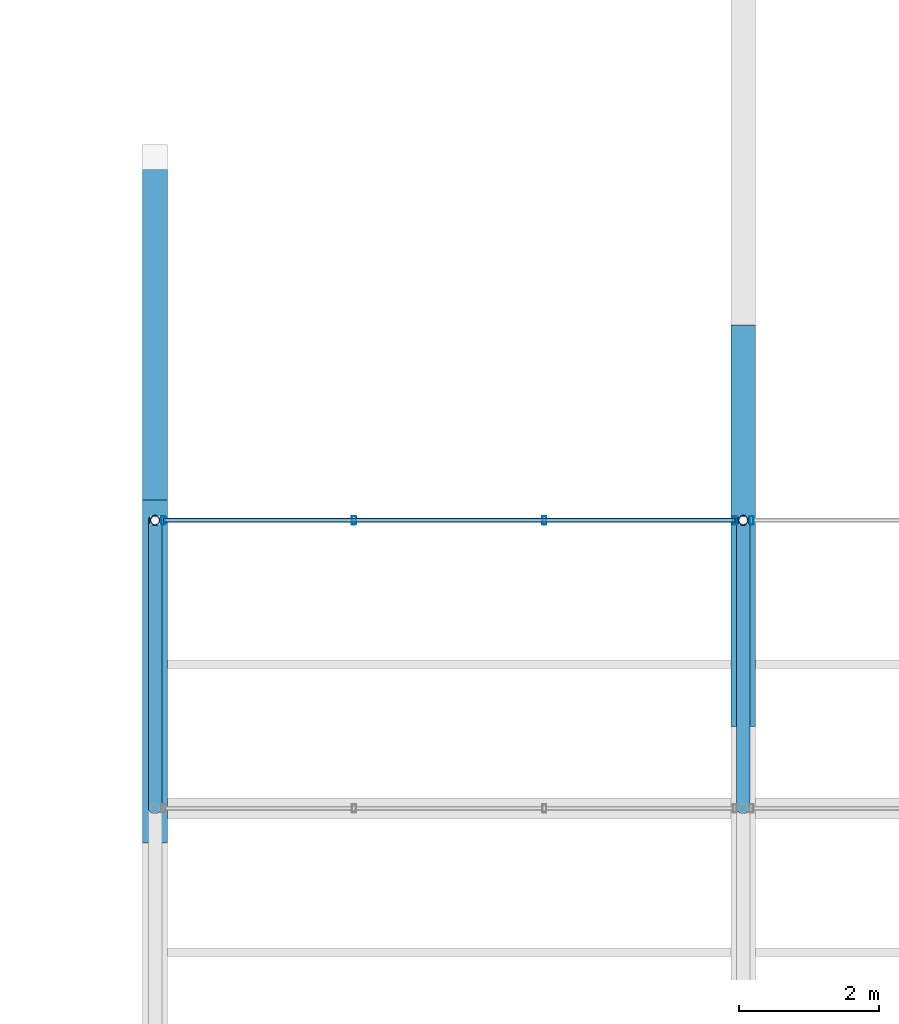
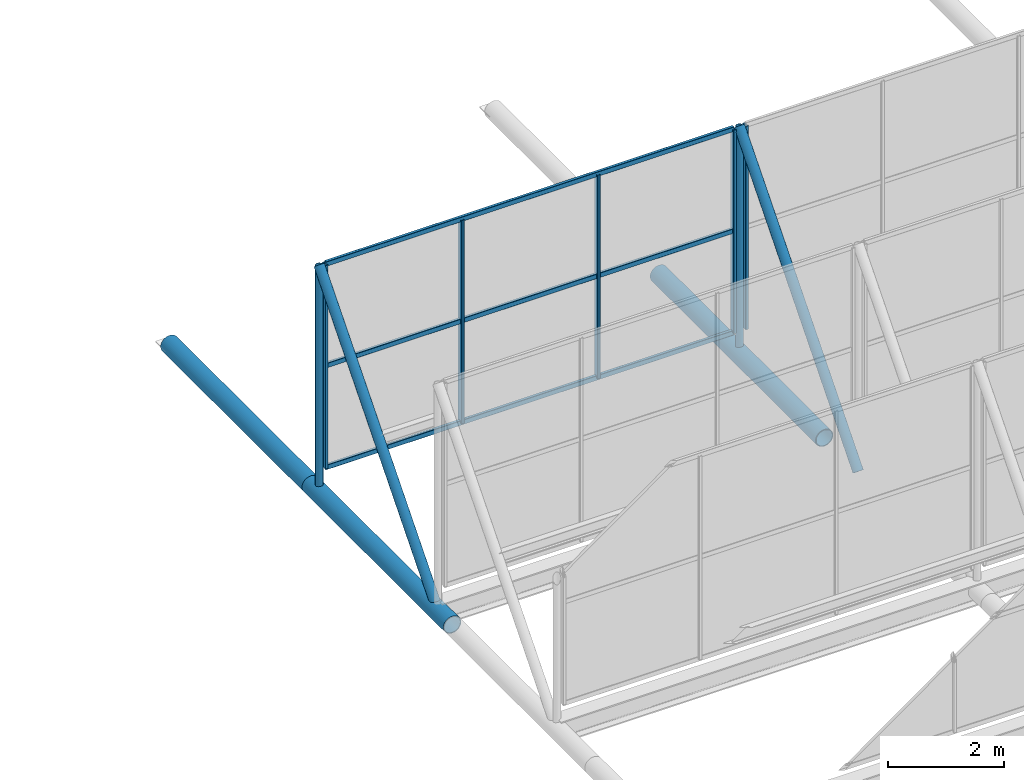
# One storey, part 36 of 77: 15 members, 2 elements without a shape of their own.
"""IFC4 building model written with IfcOpenShell, lengths in metres."""

from ifc_helpers import new_model, si_unit, derived_unit, direction, frame, origin, origin_2d, place, context, subcontext, project, spatial, hollow_rectangle, hollow_circle, extrude, material, material_profile, profile_set, type_object, element, aggregate, save


model = new_model("IFC4")

# Units and contexts
model_context = context("Model", 3, precision=1e-05, world=origin(), true_north=direction((0.0, 1.0)))
body_context = subcontext(model_context, "Body", "Model", "MODEL_VIEW")
ifc_project = project(units=[si_unit("LENGTHUNIT", "METRE"), si_unit("AREAUNIT", "SQUARE_METRE"), si_unit("VOLUMEUNIT", "CUBIC_METRE"), si_unit("PLANEANGLEUNIT", "RADIAN"), si_unit("MASSUNIT", "GRAM", prefix="KILO"), derived_unit("THERMALTRANSMITTANCEUNIT", [(si_unit("MASSUNIT", "GRAM", prefix="KILO"), 1), (si_unit("TIMEUNIT", "SECOND"), -3), (si_unit("THERMODYNAMICTEMPERATUREUNIT", "KELVIN"), -1)])], contexts=[model_context])

# Site, building, storey
site_placement = place(None, origin())
site = spatial("IfcSite", under=ifc_project, at=site_placement, CompositionType="ELEMENT")
building_placement = place(site_placement, origin())
building = spatial("IfcBuilding", under=site, at=building_placement, Name="Kharveza Railside Sports Centre", CompositionType="ELEMENT")
storey_placement = place(building_placement, frame((0.0, 0.0, 17.10009765625)))
storey = spatial("IfcBuildingStorey", under=building, at=storey_placement, Name="L04", CompositionType="ELEMENT", Elevation=17.10009765625)

# Curtain wall, members
ifc_material_1 = material(Name="Low-E solar-control laminated glass", Category="glass")
curtain_wall_type = type_object("IfcCurtainWallType", Name="CW-NL01", PredefinedType="NOTDEFINED", material=ifc_material_1)
curtain_wall_1_placement = place(storey_placement, origin())
curtain_wall_1 = element("IfcCurtainWall", 1, at=curtain_wall_1_placement, inside=storey, type_object=curtain_wall_type, Name="CW-V1NL-7-1", PredefinedType="NOTDEFINED")
ifc_material_2 = material(Name="Anodised aluminium 6063-T6", Category="aluminium")
ifc_material_profile_1 = material_profile(ifc_material_2, hollow_rectangle(XDim=0.06005859375, YDim=0.1201171875, WallThickness=0.0048828125, InnerFilletRadius=0.0048828125, OuterFilletRadius=0.010009765625, at=origin_2d()), Name="RHS 60x120x5.0")
ifc_profile_set_1 = profile_set([ifc_material_profile_1], Name="Anodised aluminium 6063-T6")
member_type_1 = type_object("IfcMemberType", Name="CW-ML05", PredefinedType="MULLION", material=ifc_profile_set_1)
member_1_placement = place(storey_placement, frame((33.719970703125, 64.800048828125, -0.550048828125), z_axis=(0.0, 0.0, 1.0), x_axis=(1.0, 0.0, 0.0)))
member_1 = element("IfcMember", 2, at=member_1_placement, type_object=member_type_1, Name="CW-V1NL-7-1-ML1", PredefinedType="MULLION", context=body_context, shape_type="SweptSolid", body=[
    extrude(hollow_rectangle(XDim=0.06005859375, YDim=0.1201171875, WallThickness=0.0048828125, InnerFilletRadius=0.0048828125, OuterFilletRadius=0.010009765625, at=origin_2d()), origin(), (0.0, 0.0, 1.0), 4.300048828125),
])
member_2_placement = place(storey_placement, frame((36.43994140625, 64.800048828125, -0.550048828125), z_axis=(0.0, 0.0, 1.0), x_axis=(1.0, 0.0, 0.0)))
member_2 = element("IfcMember", 3, at=member_2_placement, type_object=member_type_1, Name="CW-V1NL-7-1-ML2", PredefinedType="MULLION", context=body_context, shape_type="SweptSolid", body=[
    extrude(hollow_rectangle(XDim=0.06005859375, YDim=0.1201171875, WallThickness=0.0048828125, InnerFilletRadius=0.0048828125, OuterFilletRadius=0.010009765625, at=origin_2d()), origin(), (0.0, 0.0, 1.0), 4.300048828125),
])
member_3_placement = place(storey_placement, frame((39.159912109375, 64.800048828125, -0.550048828125), z_axis=(0.0, 0.0, 1.0), x_axis=(1.0, 0.0, 0.0)))
member_3 = element("IfcMember", 4, at=member_3_placement, type_object=member_type_1, Name="CW-V1NL-7-1-ML3", PredefinedType="MULLION", context=body_context, shape_type="SweptSolid", body=[
    extrude(hollow_rectangle(XDim=0.06005859375, YDim=0.1201171875, WallThickness=0.0048828125, InnerFilletRadius=0.0048828125, OuterFilletRadius=0.010009765625, at=origin_2d()), origin(), (0.0, 0.0, 1.0), 4.300048828125),
])
member_4_placement = place(storey_placement, frame((41.8798828125, 64.800048828125, -0.550048828125), z_axis=(0.0, 0.0, 1.0), x_axis=(1.0, 0.0, 0.0)))
member_4 = element("IfcMember", 5, at=member_4_placement, type_object=member_type_1, Name="CW-V1NL-7-1-ML4", PredefinedType="MULLION", context=body_context, shape_type="SweptSolid", body=[
    extrude(hollow_rectangle(XDim=0.06005859375, YDim=0.1201171875, WallThickness=0.0048828125, InnerFilletRadius=0.0048828125, OuterFilletRadius=0.010009765625, at=origin_2d()), origin(), (0.0, 0.0, 1.0), 4.300048828125),
])

# Curtain wall, member
curtain_wall_2_placement = place(storey_placement, origin())
curtain_wall_2 = element("IfcCurtainWall", 6, at=curtain_wall_2_placement, inside=storey, type_object=curtain_wall_type, Name="CW-V1NL-7-2", PredefinedType="NOTDEFINED")
member_5_placement = place(storey_placement, frame((42.1201171875, 64.800048828125, -0.550048828125), z_axis=(0.0, 0.0, 1.0), x_axis=(1.0, 0.0, 0.0)))
member_5 = element("IfcMember", 7, at=member_5_placement, type_object=member_type_1, Name="CW-V1NL-7-2-ML1", PredefinedType="MULLION", context=body_context, shape_type="SweptSolid", body=[
    extrude(hollow_rectangle(XDim=0.06005859375, YDim=0.1201171875, WallThickness=0.0048828125, InnerFilletRadius=0.0048828125, OuterFilletRadius=0.010009765625, at=origin_2d()), origin(), (0.0, 0.0, 1.0), 4.300048828125),
])
aggregate(curtain_wall_2, [member_5])

# Member
ifc_material_profile_2 = material_profile(ifc_material_2, hollow_rectangle(XDim=0.06005859375, YDim=0.10009765625, WallThickness=0.00390625, InnerFilletRadius=0.00390625, OuterFilletRadius=0.008056640625, at=origin_2d()), Name="RHS 60x100x4.0")
ifc_profile_set_2 = profile_set([ifc_material_profile_2], Name="Anodised aluminium 6063-T6")
member_type_2 = type_object("IfcMemberType", Name="CW-TR05", PredefinedType="USERDEFINED", material=ifc_profile_set_2)
member_6_placement = place(storey_placement, frame((33.719970703125, 64.800048828125, -0.550048828125), z_axis=(1.0, 0.0, 0.0), x_axis=(0.0, 1.0, 0.0)))
member_6 = element("IfcMember", 8, at=member_6_placement, type_object=member_type_2, Name="CW-V1NL-7-1-TR1", ObjectType="TRANSOM", PredefinedType="USERDEFINED", context=body_context, shape_type="SweptSolid", body=[
    extrude(hollow_rectangle(XDim=0.06005859375, YDim=0.10009765625, WallThickness=0.00390625, InnerFilletRadius=0.00390625, OuterFilletRadius=0.008056640625, at=origin_2d()), origin(), (0.0, 0.0, 1.0), 8.159912109375),
])

member_7_placement = place(storey_placement, frame((33.719970703125, 64.800048828125, 1.599853515625), z_axis=(1.0, 0.0, 0.0), x_axis=(0.0, 1.0, 0.0)))
member_7 = element("IfcMember", 9, at=member_7_placement, type_object=member_type_2, Name="CW-V1NL-7-1-TR2", ObjectType="TRANSOM", PredefinedType="USERDEFINED", context=body_context, shape_type="SweptSolid", body=[
    extrude(hollow_rectangle(XDim=0.06005859375, YDim=0.10009765625, WallThickness=0.00390625, InnerFilletRadius=0.00390625, OuterFilletRadius=0.008056640625, at=origin_2d()), origin(), (0.0, 0.0, 1.0), 8.159912109375),
])

member_8_placement = place(storey_placement, frame((33.719970703125, 64.800048828125, 3.75), z_axis=(1.0, 0.0, 0.0), x_axis=(0.0, 1.0, 0.0)))
member_8 = element("IfcMember", 10, at=member_8_placement, type_object=member_type_2, Name="CW-V1NL-7-1-TR3", ObjectType="TRANSOM", PredefinedType="USERDEFINED", context=body_context, shape_type="SweptSolid", body=[
    extrude(hollow_rectangle(XDim=0.06005859375, YDim=0.10009765625, WallThickness=0.00390625, InnerFilletRadius=0.00390625, OuterFilletRadius=0.008056640625, at=origin_2d()), origin(), (0.0, 0.0, 1.0), 8.159912109375),
])

aggregate(curtain_wall_1, [member_1, member_2, member_3, member_4, member_6, member_7, member_8])

# Members
ifc_material_3 = material(Name="Steel S355J2", Category="steel")
ifc_material_profile_3 = material_profile(ifc_material_3, hollow_circle(Radius=0.177734375, WallThickness=0.01611328125, at=origin_2d()), Name="CHS 355.6x16.0")
ifc_profile_set_3 = profile_set([ifc_material_profile_3], Name="Steel S355J2")
member_type_3 = type_object("IfcMemberType", Name="MB-CH01", PredefinedType="CHORD", material=ifc_profile_set_3)
member_9_placement = place(storey_placement, frame((33.60009765625, 60.193359375, -1.050048828125), z_axis=(0.0, 1.0, 0.0), x_axis=(-1.0, 0.0, 0.0)))
element("IfcMember", 11, at=member_9_placement, inside=storey, type_object=member_type_3, Name="MB-V1TR-TC-1-7", PredefinedType="CHORD", context=body_context, shape_type="SweptSolid", body=[
    extrude(hollow_circle(Radius=0.177734375, WallThickness=0.01611328125, at=origin_2d()), origin(), (0.0, 0.0, 1.0), 4.896484375),
])
member_10_placement = place(storey_placement, frame((33.60009765625, 65.08984375, -1.050048828125), z_axis=(0.0, 1.0, 0.0), x_axis=(-1.0, 0.0, 0.0)))
element("IfcMember", 12, at=member_10_placement, inside=storey, type_object=member_type_3, Name="MB-V1TR-TC-1-8", PredefinedType="CHORD", context=body_context, shape_type="SweptSolid", body=[
    extrude(hollow_circle(Radius=0.177734375, WallThickness=0.01611328125, at=origin_2d()), origin(), (0.0, 0.0, 1.0), 4.896728515625),
])
member_11_placement = place(storey_placement, frame((42.0, 61.857666015625, -1.050048828125), z_axis=(0.0, 1.0, 0.0), x_axis=(-1.0, 0.0, 0.0)))
element("IfcMember", 13, at=member_11_placement, inside=storey, type_object=member_type_3, Name="MB-V1TR-TC-2-7", PredefinedType="CHORD", context=body_context, shape_type="SweptSolid", body=[
    extrude(hollow_circle(Radius=0.177734375, WallThickness=0.01611328125, at=origin_2d()), origin(), (0.0, 0.0, 1.0), 5.728759765625),
])
ifc_material_profile_4 = material_profile(ifc_material_3, hollow_circle(Radius=0.096923828125, WallThickness=0.010009765625, at=origin_2d()), Name="CHS 193.7x10.0")
ifc_profile_set_4 = profile_set([ifc_material_profile_4], Name="Steel S355J2")
member_type_4 = type_object("IfcMemberType", Name="MB-ST02", PredefinedType="STRUT", material=ifc_profile_set_4)
for number, where, z_axis, x_axis, name in (
    (14, (33.60009765625, 60.685791015625, -1.050048828125), (0.0, 0.650003261435, 0.759931418039), (-1.0, 0.0, 0.0), "MB-V1SAW-RFT-7-1"),
    (15, (42.0, 60.685791015625, -1.050048828125), (0.0, 0.650003261435, 0.759931418039), (-1.0, 0.0, 0.0), "MB-V1SAW-RFT-7-2"),
):
    element("IfcMember", number, at=place(storey_placement, frame(where, z_axis=z_axis, x_axis=x_axis)), inside=storey, type_object=member_type_4, Name=name, PredefinedType="STRUT", context=body_context, shape_type="SweptSolid", body=[
        extrude(hollow_circle(Radius=0.096923828125, WallThickness=0.010009765625, at=origin_2d()), origin(), (0.0, 0.0, 1.0), 6.32958984375),
    ])
ifc_material_profile_5 = material_profile(ifc_material_3, hollow_circle(Radius=0.06982421875, WallThickness=0.008056640625, at=origin_2d()), Name="CHS 139.7x8.0")
ifc_profile_set_5 = profile_set([ifc_material_profile_5], Name="Steel S355J2")
member_type_5 = type_object("IfcMemberType", Name="MB-ST04", PredefinedType="STRUT", material=ifc_profile_set_5)
for number, where, z_axis, x_axis, name in (
    (16, (33.60009765625, 64.800048828125, -1.050048828125), (0.0, 0.0, 1.0), (1.0, 0.0, 0.0), "MB-V1SAW-PST-7-1"),
    (17, (42.0, 64.800048828125, -1.050048828125), (0.0, 0.0, 1.0), (1.0, 0.0, 0.0), "MB-V1SAW-PST-7-2"),
):
    element("IfcMember", number, at=place(storey_placement, frame(where, z_axis=z_axis, x_axis=x_axis)), inside=storey, type_object=member_type_5, Name=name, PredefinedType="STRUT", context=body_context, shape_type="SweptSolid", body=[
        extrude(hollow_circle(Radius=0.06982421875, WallThickness=0.008056640625, at=origin_2d()), origin(), (0.0, 0.0, 1.0), 4.81005859375),
    ])

save(model, "model.ifc")
